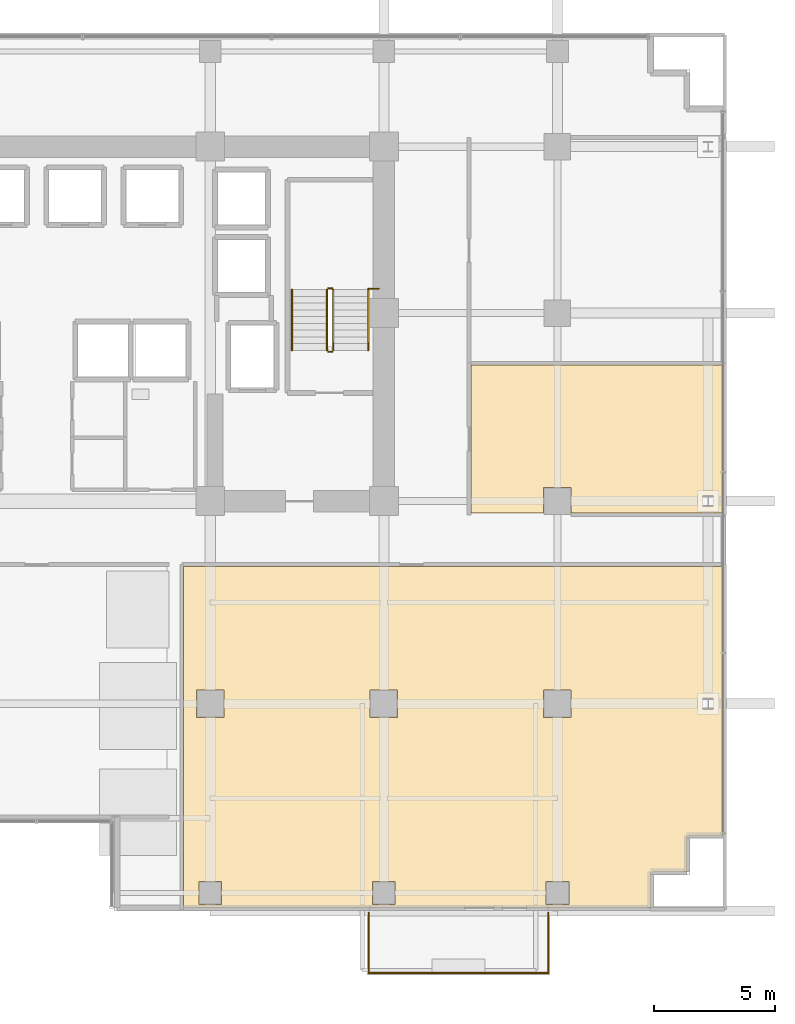
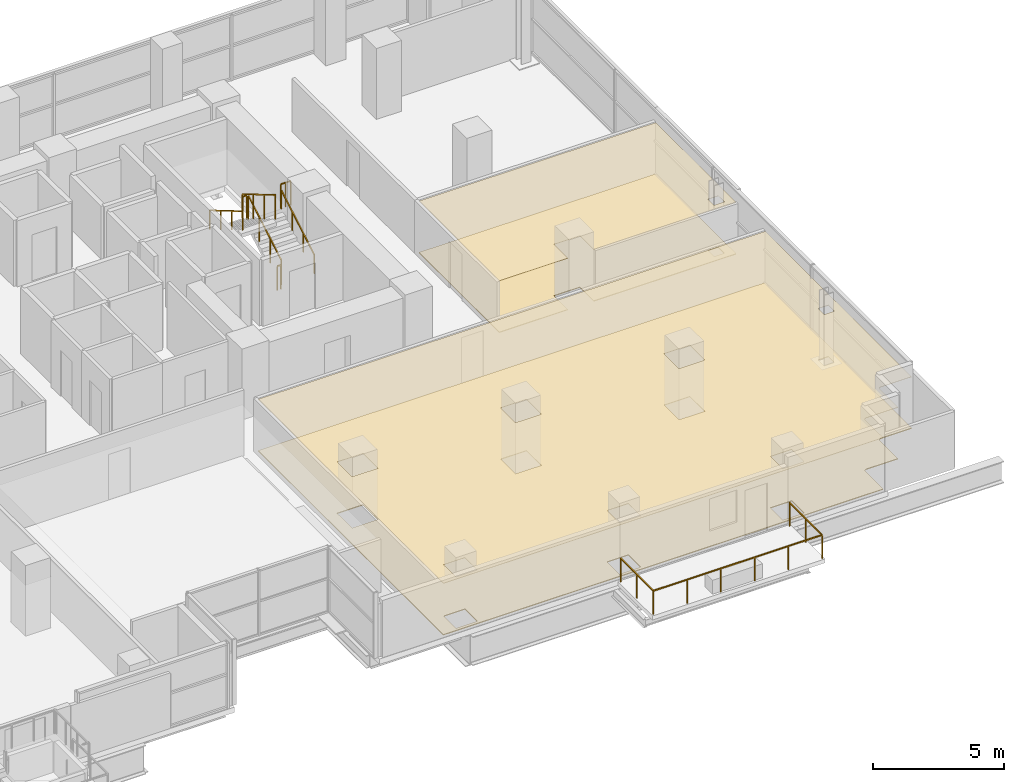
# One storey, part 31 of 32: 8 railings, 4 coverings.
"""IFC4 building model written with IfcOpenShell, lengths in metres."""

from ifc_helpers import new_model, si_unit, direction, frame, origin, origin_2d, place, context, subcontext, project, spatial, polyline, rectangle, outline, extrude, material, layer, layer_set, type_object, element, save


model = new_model("IFC4")

# Units and contexts
model_context = context("Model", 3, precision=1e-05, world=origin(), true_north=direction((0.0, 1.0)))
body_context = subcontext(model_context, "Body", "Model", "MODEL_VIEW")
ifc_project = project(units=[si_unit("LENGTHUNIT", "METRE"), si_unit("AREAUNIT", "SQUARE_METRE"), si_unit("VOLUMEUNIT", "CUBIC_METRE"), si_unit("PLANEANGLEUNIT", "RADIAN"), si_unit("MASSUNIT", "GRAM", prefix="KILO")], contexts=[model_context])

# Site, building, storey
site_placement = place(None, origin())
site = spatial("IfcSite", under=ifc_project, at=site_placement, CompositionType="ELEMENT")
building_placement = place(site_placement, origin())
building = spatial("IfcBuilding", under=site, at=building_placement, Name="Zarnakvel Exchange Tower", CompositionType="ELEMENT")
storey_placement = place(building_placement, frame((0.0, 0.0, 27.39990234375)))
storey = spatial("IfcBuildingStorey", under=building, at=storey_placement, Name="L06", CompositionType="ELEMENT", Elevation=27.39990234375)

# Coverings
ifc_material_1 = material(Name="Perforated Bronze Acoustic Metal Ceiling", Category="aluminium")
ifc_layer_1 = layer(ifc_material_1, 0.02001953125)
ifc_layer_set_1 = layer_set([ifc_layer_1], Name="Perforated Bronze Acoustic Metal Ceiling")
covering_type_1 = type_object("IfcCoveringType", Name="CLG-01", PredefinedType="CEILING", material=ifc_layer_set_1)
covering_1_placement = place(storey_placement, frame((0.0, 0.0, 2.405029296875)))
element("IfcCovering", 1, at=covering_1_placement, inside=storey, type_object=covering_type_1, Name="L06 Suspended Acoustic Ceiling (Executive Office)", PredefinedType="CEILING", context=body_context, shape_type="SweptSolid", body=[
    extrude(outline(polyline([(6.10009765625, -3.909912109375), (28.449951171875, -3.909912109375), (28.449951171875, -15.080078125), (27.10009765625, -15.080078125), (27.088134765625, -15.08056640625), (27.07666015625, -15.082275390625), (27.065185546875, -15.085205078125), (27.05419921875, -15.089111328125), (27.04345703125, -15.09423828125), (27.033447265625, -15.100341796875), (27.02392578125, -15.107177734375), (27.01513671875, -15.115234375), (27.00732421875, -15.123779296875), (27.000244140625, -15.13330078125), (26.994140625, -15.143310546875), (26.989013671875, -15.154052734375), (26.985107421875, -15.165283203125), (26.982421875, -15.176513671875), (26.98046875, -15.188232421875), (26.97998046875, -15.199951171875), (26.97998046875, -16.580078125), (25.60009765625, -16.580078125), (25.588134765625, -16.58056640625), (25.57666015625, -16.582275390625), (25.565185546875, -16.585205078125), (25.55419921875, -16.589111328125), (25.54345703125, -16.59423828125), (25.533447265625, -16.600341796875), (25.52392578125, -16.607177734375), (25.51513671875, -16.615234375), (25.50732421875, -16.623779296875), (25.500244140625, -16.63330078125), (25.494140625, -16.643310546875), (25.489013671875, -16.654052734375), (25.485107421875, -16.665283203125), (25.482421875, -16.676513671875), (25.48046875, -16.688232421875), (25.47998046875, -16.699951171875), (25.47998046875, -18.050048828125), (6.10009765625, -18.050048828125), (6.10009765625, -3.909912109375)]), holes=[polyline([(28.075927734375, -9.83251953125), (28.075927734375, -9.367431640625), (27.6240234375, -9.367431640625), (27.6240234375, -9.83251953125), (28.075927734375, -9.83251953125)]), polyline([(22.169921875, -10.169921875), (22.169921875, -9.030029296875), (21.030029296875, -9.030029296875), (21.030029296875, -10.169921875), (22.169921875, -10.169921875)]), polyline([(22.070068359375, -17.919921875), (22.070068359375, -16.97998046875), (21.1298828125, -16.97998046875), (21.1298828125, -17.919921875), (22.070068359375, -17.919921875)]), polyline([(13.830078125, -10.169921875), (14.969970703125, -10.169921875), (14.969970703125, -9.030029296875), (13.830078125, -9.030029296875), (13.830078125, -10.169921875)]), polyline([(14.8701171875, -17.919921875), (14.8701171875, -16.97998046875), (13.929931640625, -16.97998046875), (13.929931640625, -17.919921875), (14.8701171875, -17.919921875)]), polyline([(6.6298828125, -10.169921875), (7.77001953125, -10.169921875), (7.77001953125, -9.030029296875), (6.6298828125, -9.030029296875), (6.6298828125, -10.169921875)]), polyline([(7.669921875, -17.919921875), (7.669921875, -16.97998046875), (6.72998046875, -16.97998046875), (6.72998046875, -17.919921875), (7.669921875, -17.919921875)])]), origin(), (0.0, 0.0, 1.0), 0.02001953125),
])
covering_2_placement = place(storey_placement, frame((0.0, 0.0, 2.405029296875)))
element("IfcCovering", 2, at=covering_2_placement, inside=storey, type_object=covering_type_1, Name="L06 Suspended Acoustic Ceiling (Staff Pantry)", PredefinedType="CEILING", context=body_context, shape_type="SweptSolid", body=[
    extrude(outline(polyline([(18.010009765625, 4.44189453125), (28.449951171875, 4.44189453125), (28.449951171875, -1.68994140625), (22.169921875, -1.68994140625), (22.169921875, -0.6298828125), (21.030029296875, -0.6298828125), (21.030029296875, -1.68994140625), (18.010009765625, -1.68994140625), (18.010009765625, 4.44189453125)]), holes=[polyline([(27.6240234375, -1.4326171875), (28.075927734375, -1.4326171875), (28.075927734375, -0.967529296875), (27.6240234375, -0.967529296875), (27.6240234375, -1.4326171875)])]), origin(), (0.0, 0.0, 1.0), 0.02001953125),
])
ifc_material_2 = material(Name="Heavy-Duty Raised Access Floor Panel", Category="steel")
ifc_layer_2 = layer(ifc_material_2, 0.034912109375)
ifc_layer_set_2 = layer_set([ifc_layer_2], Name="Heavy-Duty Raised Access Floor Panel")
covering_type_2 = type_object("IfcCoveringType", Name="FLR-02", PredefinedType="FLOORING", material=ifc_layer_set_2)
covering_3_placement = place(storey_placement, origin())
element("IfcCovering", 3, at=covering_3_placement, inside=storey, type_object=covering_type_2, Name="L06 Floor Finish (Executive Office)", PredefinedType="FLOORING", context=body_context, shape_type="SweptSolid", body=[
    extrude(outline(polyline([(6.10009765625, -3.909912109375), (28.449951171875, -3.909912109375), (28.449951171875, -15.080078125), (27.10009765625, -15.080078125), (27.088134765625, -15.08056640625), (27.07666015625, -15.082275390625), (27.065185546875, -15.085205078125), (27.05419921875, -15.089111328125), (27.04345703125, -15.09423828125), (27.033447265625, -15.100341796875), (27.02392578125, -15.107177734375), (27.01513671875, -15.115234375), (27.00732421875, -15.123779296875), (27.000244140625, -15.13330078125), (26.994140625, -15.143310546875), (26.989013671875, -15.154052734375), (26.985107421875, -15.165283203125), (26.982421875, -15.176513671875), (26.98046875, -15.188232421875), (26.97998046875, -15.199951171875), (26.97998046875, -16.580078125), (25.60009765625, -16.580078125), (25.588134765625, -16.58056640625), (25.57666015625, -16.582275390625), (25.565185546875, -16.585205078125), (25.55419921875, -16.589111328125), (25.54345703125, -16.59423828125), (25.533447265625, -16.600341796875), (25.52392578125, -16.607177734375), (25.51513671875, -16.615234375), (25.50732421875, -16.623779296875), (25.500244140625, -16.63330078125), (25.494140625, -16.643310546875), (25.489013671875, -16.654052734375), (25.485107421875, -16.665283203125), (25.482421875, -16.676513671875), (25.48046875, -16.688232421875), (25.47998046875, -16.699951171875), (25.47998046875, -18.050048828125), (6.10009765625, -18.050048828125), (6.10009765625, -3.909912109375)]), holes=[polyline([(28.075927734375, -9.83251953125), (28.075927734375, -9.367431640625), (27.6240234375, -9.367431640625), (27.6240234375, -9.83251953125), (28.075927734375, -9.83251953125)]), polyline([(22.169921875, -10.169921875), (22.169921875, -9.030029296875), (21.030029296875, -9.030029296875), (21.030029296875, -10.169921875), (22.169921875, -10.169921875)]), polyline([(22.070068359375, -17.919921875), (22.070068359375, -16.97998046875), (21.1298828125, -16.97998046875), (21.1298828125, -17.919921875), (22.070068359375, -17.919921875)]), polyline([(13.830078125, -10.169921875), (14.969970703125, -10.169921875), (14.969970703125, -9.030029296875), (13.830078125, -9.030029296875), (13.830078125, -10.169921875)]), polyline([(14.8701171875, -17.919921875), (14.8701171875, -16.97998046875), (13.929931640625, -16.97998046875), (13.929931640625, -17.919921875), (14.8701171875, -17.919921875)]), polyline([(6.6298828125, -10.169921875), (7.77001953125, -10.169921875), (7.77001953125, -9.030029296875), (6.6298828125, -9.030029296875), (6.6298828125, -10.169921875)]), polyline([(7.669921875, -17.919921875), (7.669921875, -16.97998046875), (6.72998046875, -16.97998046875), (6.72998046875, -17.919921875), (7.669921875, -17.919921875)])]), origin(), (0.0, 0.0, 1.0), 0.03515625),
])
covering_4_placement = place(storey_placement, origin())
element("IfcCovering", 4, at=covering_4_placement, inside=storey, type_object=covering_type_2, Name="L06 Floor Finish (Staff Pantry)", PredefinedType="FLOORING", context=body_context, shape_type="SweptSolid", body=[
    extrude(outline(polyline([(18.010009765625, 4.44189453125), (28.449951171875, 4.44189453125), (28.449951171875, -1.68994140625), (22.169921875, -1.68994140625), (22.169921875, -0.6298828125), (21.030029296875, -0.6298828125), (21.030029296875, -1.68994140625), (18.010009765625, -1.68994140625), (18.010009765625, 4.44189453125)]), holes=[polyline([(27.6240234375, -1.4326171875), (28.075927734375, -1.4326171875), (28.075927734375, -0.967529296875), (27.6240234375, -0.967529296875), (27.6240234375, -1.4326171875)])]), origin(), (0.0, 0.0, 1.0), 0.03515625),
])

# Railings
ifc_material_3 = material(Name="Architectural Bronze Anodised Aluminium", Category="aluminium")
railing_type_1 = type_object("IfcRailingType", Name="GR-02", PredefinedType="GUARDRAIL", material=ifc_material_3)
railing_1_placement = place(storey_placement, frame((13.780029296875, -18.280029296875, -0.059814453125)))
element("IfcRailing", 5, at=railing_1_placement, inside=storey, type_object=railing_type_1, Name="L06 Balcony Guardrail BAL-L06-SE", PredefinedType="GUARDRAIL", context=body_context, shape_type="SweptSolid", body=[
    extrude(rectangle(XDim=0.048095703125, YDim=0.048095703125, at=origin_2d()), frame((0.0, 0.0, 1.09619140625), z_axis=(0.0, -1.0, 0.0), x_axis=(1.0, 0.0, 0.0)), (0.0, 0.0, 1.0), 2.489990234375),
    extrude(rectangle(XDim=0.048095703125, YDim=0.048095703125, at=origin_2d()), frame((0.0, -2.489990234375, 1.09619140625), z_axis=(1.0, 0.0, 0.0), x_axis=(0.0, 1.0, 0.0)), (0.0, 0.0, 1.0), 7.43994140625),
    extrude(rectangle(XDim=0.048095703125, YDim=0.048095703125, at=origin_2d()), frame((7.43994140625, -2.489990234375, 1.09619140625), z_axis=(0.0, 1.0, 0.0), x_axis=(-1.0, 0.0, 0.0)), (0.0, 0.0, 1.0), 2.489990234375),
    extrude(rectangle(XDim=0.0419921875, YDim=0.0419921875, at=origin_2d()), origin(), (0.0, 0.0, 1.0), 1.072021484375),
    extrude(rectangle(XDim=0.0419921875, YDim=0.0419921875, at=origin_2d()), frame((0.0, -1.2451171875, 0.0)), (0.0, 0.0, 1.0), 1.072021484375),
    extrude(rectangle(XDim=0.0419921875, YDim=0.0419921875, at=origin_2d()), frame((0.0, -2.489990234375, 0.0)), (0.0, 0.0, 1.0), 1.072021484375),
    extrude(rectangle(XDim=0.0419921875, YDim=0.0419921875, at=origin_2d()), frame((1.488037109375, -2.489990234375, 0.0)), (0.0, 0.0, 1.0), 1.072021484375),
    extrude(rectangle(XDim=0.0419921875, YDim=0.0419921875, at=origin_2d()), frame((2.97607421875, -2.489990234375, 0.0)), (0.0, 0.0, 1.0), 1.072021484375),
    extrude(rectangle(XDim=0.0419921875, YDim=0.0419921875, at=origin_2d()), frame((4.4638671875, -2.489990234375, 0.0)), (0.0, 0.0, 1.0), 1.072021484375),
    extrude(rectangle(XDim=0.0419921875, YDim=0.0419921875, at=origin_2d()), frame((5.951904296875, -2.489990234375, 0.0)), (0.0, 0.0, 1.0), 1.072021484375),
    extrude(rectangle(XDim=0.0419921875, YDim=0.0419921875, at=origin_2d()), frame((7.43994140625, -2.489990234375, 0.0)), (0.0, 0.0, 1.0), 1.072021484375),
    extrude(rectangle(XDim=0.0419921875, YDim=0.0419921875, at=origin_2d()), frame((7.43994140625, -1.2451171875, 0.0)), (0.0, 0.0, 1.0), 1.072021484375),
    extrude(rectangle(XDim=0.0419921875, YDim=0.0419921875, at=origin_2d()), frame((7.43994140625, 0.0, 0.0)), (0.0, 0.0, 1.0), 1.072021484375),
])
ifc_material_4 = material(Name="Brushed Stainless Steel", Category="steel")
railing_type_2 = type_object("IfcRailingType", Name="HR-01", PredefinedType="HANDRAIL", material=ifc_material_4)
railing_2_placement = place(storey_placement, frame((13.75, 5.050048828125, 0.1650390625)))
element("IfcRailing", 6, at=railing_2_placement, inside=storey, type_object=railing_type_2, Name="L06 ST-02 stair handrail 1", PredefinedType="HANDRAIL", context=body_context, shape_type="SweptSolid", body=[
    extrude(rectangle(XDim=0.048095703125, YDim=0.048095703125, at=origin_2d()), frame((0.0, 0.0, 0.8759765625), z_axis=(0.0, 0.86152411907, 0.507716645641), x_axis=(-1.0, 0.0, 0.0)), (0.0, 0.0, 1.0), 2.925048828125),
    extrude(rectangle(XDim=0.0419921875, YDim=0.0419921875, at=origin_2d()), origin(), (0.0, 0.0, 1.0), 0.851806640625),
    extrude(rectangle(XDim=0.0419921875, YDim=0.0419921875, at=origin_2d()), frame((0.0, 0.840087890625, 0.4951171875)), (0.0, 0.0, 1.0), 0.851806640625),
    extrude(rectangle(XDim=0.0419921875, YDim=0.0419921875, at=origin_2d()), frame((0.0, 1.679931640625, 0.989990234375)), (0.0, 0.0, 1.0), 0.851806640625),
    extrude(rectangle(XDim=0.0419921875, YDim=0.0419921875, at=origin_2d()), frame((0.0, 2.52001953125, 1.485107421875)), (0.0, 0.0, 1.0), 0.851806640625),
])
railing_3_placement = place(storey_placement, frame((10.590087890625, 7.570068359375, 1.815185546875)))
element("IfcRailing", 7, at=railing_3_placement, inside=storey, type_object=railing_type_2, Name="L06 ST-02 stair handrail 2", PredefinedType="HANDRAIL", context=body_context, shape_type="SweptSolid", body=[
    extrude(rectangle(XDim=0.048095703125, YDim=0.048095703125, at=origin_2d()), frame((0.0, 0.0, 0.8759765625), z_axis=(0.0, -0.861560626758, 0.507654692109), x_axis=(1.0, 0.0, 0.0)), (0.0, 0.0, 1.0), 2.925048828125),
    extrude(rectangle(XDim=0.0419921875, YDim=0.0419921875, at=origin_2d()), origin(), (0.0, 0.0, 1.0), 0.851806640625),
    extrude(rectangle(XDim=0.0419921875, YDim=0.0419921875, at=origin_2d()), frame((0.0, -0.840087890625, 0.494873046875)), (0.0, 0.0, 1.0), 0.851806640625),
    extrude(rectangle(XDim=0.0419921875, YDim=0.0419921875, at=origin_2d()), frame((0.0, -1.679931640625, 0.989990234375)), (0.0, 0.0, 1.0), 0.851806640625),
    extrude(rectangle(XDim=0.0419921875, YDim=0.0419921875, at=origin_2d()), frame((0.0, -2.52001953125, 1.48486328125)), (0.0, 0.0, 1.0), 0.851806640625),
])
railing_type_3 = type_object("IfcRailingType", Name="SG-01", PredefinedType="GUARDRAIL", material=ifc_material_3)
railing_4_placement = place(storey_placement, frame((12.300048828125, 5.050048828125, 0.1650390625)))
element("IfcRailing", 8, at=railing_4_placement, inside=storey, type_object=railing_type_3, Name="L06 ST-02 stair guard 1", PredefinedType="GUARDRAIL", context=body_context, shape_type="SweptSolid", body=[
    extrude(rectangle(XDim=0.048095703125, YDim=0.048095703125, at=origin_2d()), frame((0.0, 0.0, 1.1259765625), z_axis=(0.0, 0.86152411907, 0.507716645641), x_axis=(-1.0, 0.0, 0.0)), (0.0, 0.0, 1.0), 2.925048828125),
    extrude(rectangle(XDim=0.0419921875, YDim=0.0419921875, at=origin_2d()), origin(), (0.0, 0.0, 1.0), 1.101806640625),
    extrude(rectangle(XDim=0.0419921875, YDim=0.0419921875, at=origin_2d()), frame((0.0, 0.840087890625, 0.4951171875)), (0.0, 0.0, 1.0), 1.101806640625),
    extrude(rectangle(XDim=0.0419921875, YDim=0.0419921875, at=origin_2d()), frame((0.0, 1.679931640625, 0.989990234375)), (0.0, 0.0, 1.0), 1.101806640625),
    extrude(rectangle(XDim=0.0419921875, YDim=0.0419921875, at=origin_2d()), frame((0.0, 2.52001953125, 1.485107421875)), (0.0, 0.0, 1.0), 1.101806640625),
])
railing_5_placement = place(storey_placement, frame((12.25, 7.6201171875, 1.650146484375)))
element("IfcRailing", 9, at=railing_5_placement, inside=storey, type_object=railing_type_3, Name="L06 ST-02 stair guard 2", PredefinedType="GUARDRAIL", context=body_context, shape_type="SweptSolid", body=[
    extrude(rectangle(XDim=0.048095703125, YDim=0.048095703125, at=origin_2d()), frame((0.0, 0.0, 1.1259765625), z_axis=(-1.0, 0.0, 0.0), x_axis=(0.0, -1.0, 0.0)), (0.0, 0.0, 1.0), 0.159912109375),
    extrude(rectangle(XDim=0.0419921875, YDim=0.0419921875, at=origin_2d()), origin(), (0.0, 0.0, 1.0), 1.101806640625),
    extrude(rectangle(XDim=0.0419921875, YDim=0.0419921875, at=origin_2d()), frame((-0.159912109375, 0.0, 0.0)), (0.0, 0.0, 1.0), 1.101806640625),
])
railing_6_placement = place(storey_placement, frame((12.0400390625, 7.570068359375, 1.815185546875)))
element("IfcRailing", 10, at=railing_6_placement, inside=storey, type_object=railing_type_3, Name="L06 ST-02 stair guard 3", PredefinedType="GUARDRAIL", context=body_context, shape_type="SweptSolid", body=[
    extrude(rectangle(XDim=0.048095703125, YDim=0.048095703125, at=origin_2d()), frame((0.0, 0.0, 1.1259765625), z_axis=(0.0, -0.861560626758, 0.507654692109), x_axis=(1.0, 0.0, 0.0)), (0.0, 0.0, 1.0), 2.925048828125),
    extrude(rectangle(XDim=0.0419921875, YDim=0.0419921875, at=origin_2d()), origin(), (0.0, 0.0, 1.0), 1.101806640625),
    extrude(rectangle(XDim=0.0419921875, YDim=0.0419921875, at=origin_2d()), frame((0.0, -0.840087890625, 0.494873046875)), (0.0, 0.0, 1.0), 1.101806640625),
    extrude(rectangle(XDim=0.0419921875, YDim=0.0419921875, at=origin_2d()), frame((0.0, -1.679931640625, 0.989990234375)), (0.0, 0.0, 1.0), 1.101806640625),
    extrude(rectangle(XDim=0.0419921875, YDim=0.0419921875, at=origin_2d()), frame((0.0, -2.52001953125, 1.48486328125)), (0.0, 0.0, 1.0), 1.101806640625),
])
railing_7_placement = place(storey_placement, frame((12.25, 5.0, 0.0)))
element("IfcRailing", 11, at=railing_7_placement, inside=storey, type_object=railing_type_3, Name="L06 ST-02 stair guard 4", PredefinedType="GUARDRAIL", context=body_context, shape_type="SweptSolid", body=[
    extrude(rectangle(XDim=0.048095703125, YDim=0.048095703125, at=origin_2d()), frame((0.0, 0.0, 1.1259765625), z_axis=(-1.0, 0.0, 0.0), x_axis=(0.0, -1.0, 0.0)), (0.0, 0.0, 1.0), 0.159912109375),
    extrude(rectangle(XDim=0.0419921875, YDim=0.0419921875, at=origin_2d()), origin(), (0.0, 0.0, 1.0), 1.101806640625),
    extrude(rectangle(XDim=0.0419921875, YDim=0.0419921875, at=origin_2d()), frame((-0.159912109375, 0.0, 0.0)), (0.0, 0.0, 1.0), 1.101806640625),
])
railing_8_placement = place(storey_placement, frame((13.75, 7.610107421875, 1.650146484375)))
element("IfcRailing", 12, at=railing_8_placement, inside=storey, type_object=railing_type_3, Name="L06 ST-02 Landing Slot Guardrail", PredefinedType="GUARDRAIL", context=body_context, shape_type="SweptSolid", body=[
    extrude(rectangle(XDim=0.048095703125, YDim=0.048095703125, at=origin_2d()), frame((0.0, 0.0, 1.1259765625), z_axis=(1.0, 0.0, 0.0), x_axis=(0.0, 1.0, 0.0)), (0.0, 0.0, 1.0), 0.429931640625),
    extrude(rectangle(XDim=0.0419921875, YDim=0.0419921875, at=origin_2d()), origin(), (0.0, 0.0, 1.0), 1.101806640625),
    extrude(rectangle(XDim=0.0419921875, YDim=0.0419921875, at=origin_2d()), frame((0.21484375, 0.0, 0.0)), (0.0, 0.0, 1.0), 1.101806640625),
    extrude(rectangle(XDim=0.0419921875, YDim=0.0419921875, at=origin_2d()), frame((0.429931640625, 0.0, 0.0)), (0.0, 0.0, 1.0), 1.101806640625),
])

save(model, "model.ifc")
